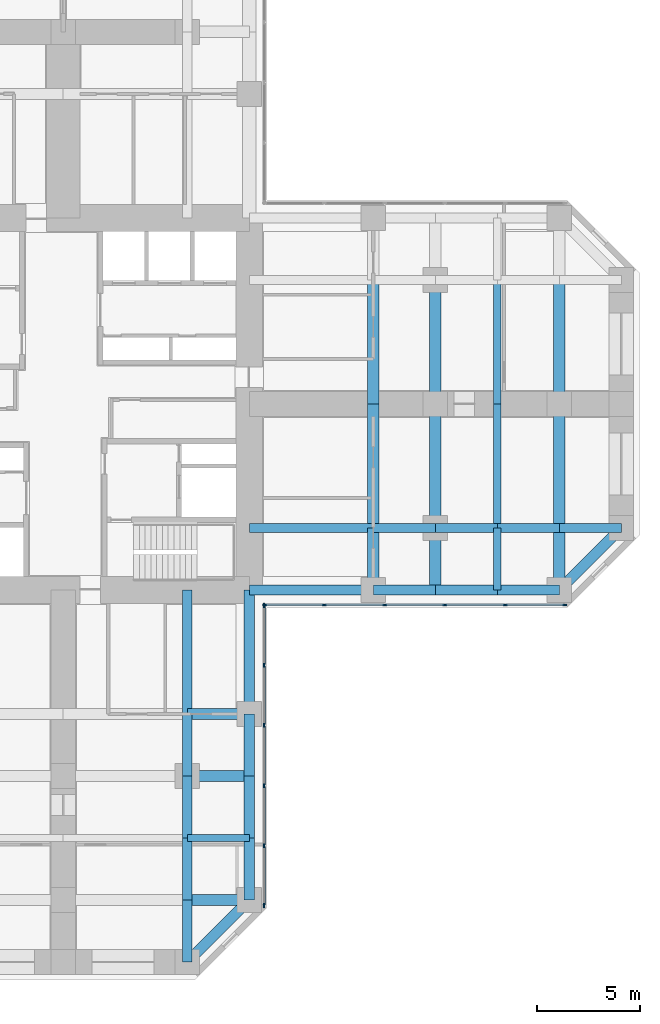
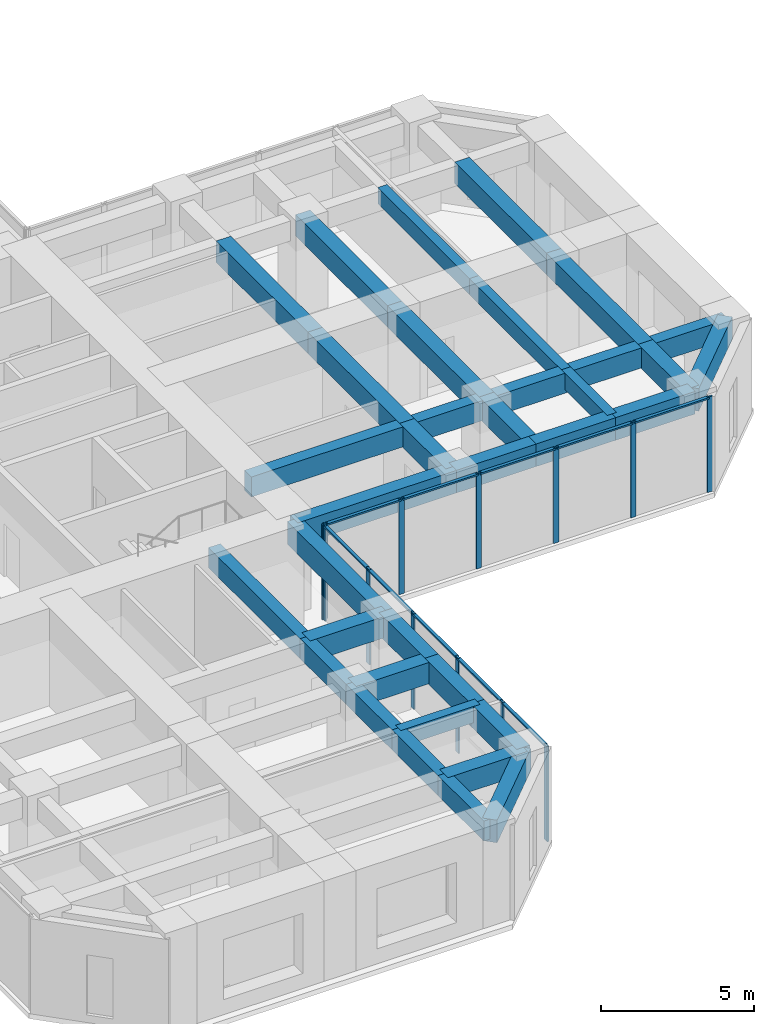
# One storey, part 4 of 12: 36 beams, 22 members, 2 elements without a shape of their own.
"""IFC4 building model written with IfcOpenShell, lengths in metres."""

from ifc_helpers import new_model, si_unit, direction, frame, origin, origin_2d, place, context, subcontext, project, spatial, rectangle, extrude, material, material_profile, profile_set, type_object, element, aggregate, save


model = new_model("IFC4")

# Units and contexts
model_context = context("Model", 3, precision=1e-05, world=origin(), true_north=direction((0.0, 1.0)))
body_context = subcontext(model_context, "Body", "Model", "MODEL_VIEW")
ifc_project = project(units=[si_unit("LENGTHUNIT", "METRE"), si_unit("AREAUNIT", "SQUARE_METRE"), si_unit("VOLUMEUNIT", "CUBIC_METRE"), si_unit("PLANEANGLEUNIT", "RADIAN"), si_unit("MASSUNIT", "GRAM", prefix="KILO")], contexts=[model_context])

# Site, building, storey
site_placement = place(None, origin())
site = spatial("IfcSite", under=ifc_project, at=site_placement, CompositionType="ELEMENT")
building_placement = place(site_placement, origin())
building = spatial("IfcBuilding", under=site, at=building_placement, Name="Torre Cruceta", CompositionType="ELEMENT")
storey_placement = place(building_placement, frame((0.0, 0.0, 79.5)))
storey = spatial("IfcBuildingStorey", under=building, at=storey_placement, Name="L19", CompositionType="ELEMENT", Elevation=79.5)

# Beams
ifc_material_1 = material(Name="Concrete G60 (fck 60 MPa)", Category="concrete")
ifc_material_profile_1 = material_profile(ifc_material_1, rectangle(XDim=0.449951171875, YDim=0.800048828125, at=origin_2d()), Name="RC 450X800")
ifc_profile_set_1 = profile_set([ifc_material_profile_1], Name="Concrete G60 (fck 60 MPa)")
beam_type_1 = type_object("IfcBeamType", Name="COLUMN LINE BEAM RC 450X800", PredefinedType="BEAM", material=ifc_profile_set_1)
beam_1_placement = place(storey_placement, frame((9.0, -6.0, 3.39990234375), z_axis=(1.0, 0.0, 0.0), x_axis=(0.0, 1.0, 0.0)))
element("IfcBeam", 1, at=beam_1_placement, inside=storey, type_object=beam_type_1, Name="LB1 L19 E col- 1", PredefinedType="BEAM", context=body_context, shape_type="SweptSolid", body=[
    extrude(rectangle(XDim=0.449951171875, YDim=0.800048828125, at=origin_2d()), origin(), (0.0, 0.0, 1.0), 6.0),
])
for number, where, z_axis, x_axis, name in (
    (2, (15.0, -6.0, 3.39990234375), (1.0, 0.0, 0.0), (0.0, 1.0, 0.0), "LB1 L19 E col- 2"),
    (3, (18.0, -6.0, 3.39990234375), (1.0, 0.0, 0.0), (0.0, 1.0, 0.0), "LB1 L19 E col- 3"),
    (4, (21.0, -6.0, 3.39990234375), (1.0, 0.0, 0.0), (0.0, 1.0, 0.0), "LB1 L19 E col- 4"),
    (5, (24.0, -6.0, 3.39990234375), (1.0, 0.0, 0.0), (0.0, 1.0, 0.0), "LB1 L19 E col- 5"),
):
    element("IfcBeam", number, at=place(storey_placement, frame(where, z_axis=z_axis, x_axis=x_axis)), inside=storey, type_object=beam_type_1, Name=name, PredefinedType="BEAM", context=body_context, shape_type="SweptSolid", body=[
        extrude(rectangle(XDim=0.449951171875, YDim=0.800048828125, at=origin_2d()), origin(), (0.0, 0.0, 1.0), 3.0),
    ])
beam_2_placement = place(storey_placement, frame((6.0, -9.0, 3.39990234375), z_axis=(0.0, -1.0, 0.0), x_axis=(1.0, 0.0, 0.0)))
element("IfcBeam", 6, at=beam_2_placement, inside=storey, type_object=beam_type_1, Name="LB1 L19 S col+ 1", PredefinedType="BEAM", context=body_context, shape_type="SweptSolid", body=[
    extrude(rectangle(XDim=0.449951171875, YDim=0.800048828125, at=origin_2d()), origin(), (0.0, 0.0, 1.0), 6.0),
])
for number, where, z_axis, x_axis, name in (
    (7, (6.0, -15.0, 3.39990234375), (0.0, -1.0, 0.0), (1.0, 0.0, 0.0), "LB1 L19 S col+ 2"),
    (8, (6.0, -18.0, 3.39990234375), (0.0, -1.0, 0.0), (1.0, 0.0, 0.0), "LB1 L19 S col+ 3"),
    (9, (6.0, -21.0, 3.39990234375), (0.0, -1.0, 0.0), (1.0, 0.0, 0.0), "LB1 L19 S col+ 4"),
    (10, (6.0, -24.0, 3.39990234375), (0.0, -1.0, 0.0), (1.0, 0.0, 0.0), "LB1 L19 S col+ 5"),
):
    element("IfcBeam", number, at=place(storey_placement, frame(where, z_axis=z_axis, x_axis=x_axis)), inside=storey, type_object=beam_type_1, Name=name, PredefinedType="BEAM", context=body_context, shape_type="SweptSolid", body=[
        extrude(rectangle(XDim=0.449951171875, YDim=0.800048828125, at=origin_2d()), origin(), (0.0, 0.0, 1.0), 3.0),
    ])
ifc_material_2 = material(Name="Concrete G60 (fck 60 MPa)", Category="concrete")
ifc_material_profile_2 = material_profile(ifc_material_2, rectangle(XDim=0.550048828125, YDim=0.85009765625, at=origin_2d()), Name="RC 550X850")
ifc_profile_set_2 = profile_set([ifc_material_profile_2], Name="Concrete G60 (fck 60 MPa)")
beam_type_2 = type_object("IfcBeamType", Name="CROSS BEAM RC 550X850", PredefinedType="BEAM", material=ifc_profile_set_2)
beam_3_placement = place(storey_placement, frame((15.0, -9.0, 3.375), z_axis=(0.0, 1.0, 0.0), x_axis=(-1.0, 0.0, 0.0)))
element("IfcBeam", 11, at=beam_3_placement, inside=storey, type_object=beam_type_2, Name="GB4 L19 E cross15 1", PredefinedType="BEAM", context=body_context, shape_type="SweptSolid", body=[
    extrude(rectangle(XDim=0.550048828125, YDim=0.85009765625, at=origin_2d()), origin(), (0.0, 0.0, 1.0), 3.0),
])
for number, where, z_axis, x_axis, name in (
    (12, (15.0, -6.0, 3.375), (0.0, 1.0, 0.0), (-1.0, 0.0, 0.0), "GB4 L19 E cross15 2"),
    (13, (15.0, 0.0, 3.375), (0.0, 1.0, 0.0), (-1.0, 0.0, 0.0), "GB4 L19 E cross15 3"),
):
    element("IfcBeam", number, at=place(storey_placement, frame(where, z_axis=z_axis, x_axis=x_axis)), inside=storey, type_object=beam_type_2, Name=name, PredefinedType="BEAM", context=body_context, shape_type="SweptSolid", body=[
        extrude(rectangle(XDim=0.550048828125, YDim=0.85009765625, at=origin_2d()), origin(), (0.0, 0.0, 1.0), 6.0),
    ])
beam_4_placement = place(storey_placement, frame((18.0, -9.0, 3.375), z_axis=(0.0, 1.0, 0.0), x_axis=(-1.0, 0.0, 0.0)))
element("IfcBeam", 14, at=beam_4_placement, inside=storey, type_object=beam_type_2, Name="GB4 L19 E cross18 1", PredefinedType="BEAM", context=body_context, shape_type="SweptSolid", body=[
    extrude(rectangle(XDim=0.550048828125, YDim=0.85009765625, at=origin_2d()), origin(), (0.0, 0.0, 1.0), 3.0),
])
for number, where, z_axis, x_axis, name in (
    (15, (18.0, -6.0, 3.375), (0.0, 1.0, 0.0), (-1.0, 0.0, 0.0), "GB4 L19 E cross18 2"),
    (16, (18.0, 0.0, 3.375), (0.0, 1.0, 0.0), (-1.0, 0.0, 0.0), "GB4 L19 E cross18 3"),
):
    element("IfcBeam", number, at=place(storey_placement, frame(where, z_axis=z_axis, x_axis=x_axis)), inside=storey, type_object=beam_type_2, Name=name, PredefinedType="BEAM", context=body_context, shape_type="SweptSolid", body=[
        extrude(rectangle(XDim=0.550048828125, YDim=0.85009765625, at=origin_2d()), origin(), (0.0, 0.0, 1.0), 6.0),
    ])
beam_5_placement = place(storey_placement, frame((24.0, -9.0, 3.375), z_axis=(0.0, 1.0, 0.0), x_axis=(-1.0, 0.0, 0.0)))
element("IfcBeam", 17, at=beam_5_placement, inside=storey, type_object=beam_type_2, Name="GB4 L19 E cross24 1", PredefinedType="BEAM", context=body_context, shape_type="SweptSolid", body=[
    extrude(rectangle(XDim=0.550048828125, YDim=0.85009765625, at=origin_2d()), origin(), (0.0, 0.0, 1.0), 3.0),
])
for number, where, z_axis, x_axis, name in (
    (18, (24.0, -6.0, 3.375), (0.0, 1.0, 0.0), (-1.0, 0.0, 0.0), "GB4 L19 E cross24 2"),
    (19, (24.0, 0.0, 3.375), (0.0, 1.0, 0.0), (-1.0, 0.0, 0.0), "GB4 L19 E cross24 3"),
):
    element("IfcBeam", number, at=place(storey_placement, frame(where, z_axis=z_axis, x_axis=x_axis)), inside=storey, type_object=beam_type_2, Name=name, PredefinedType="BEAM", context=body_context, shape_type="SweptSolid", body=[
        extrude(rectangle(XDim=0.550048828125, YDim=0.85009765625, at=origin_2d()), origin(), (0.0, 0.0, 1.0), 6.0),
    ])
for number, where, z_axis, x_axis, name in (
    (20, (6.0, -15.0, 3.375), (1.0, 0.0, 0.0), (0.0, 1.0, 0.0), "GB4 L19 S cross15 4"),
    (21, (6.0, -18.0, 3.375), (1.0, 0.0, 0.0), (0.0, 1.0, 0.0), "GB4 L19 S cross18 4"),
    (22, (6.0, -24.0, 3.375), (1.0, 0.0, 0.0), (0.0, 1.0, 0.0), "GB4 L19 S cross24 4"),
):
    element("IfcBeam", number, at=place(storey_placement, frame(where, z_axis=z_axis, x_axis=x_axis)), inside=storey, type_object=beam_type_2, Name=name, PredefinedType="BEAM", context=body_context, shape_type="SweptSolid", body=[
        extrude(rectangle(XDim=0.550048828125, YDim=0.85009765625, at=origin_2d()), origin(), (0.0, 0.0, 1.0), 3.0),
    ])

# Curtain wall, members
ifc_material_3 = material(Name="Aluminium unitised curtain wall", Category="aluminium")
curtain_wall_type = type_object("IfcCurtainWallType", Name="CURTAIN WALL CW-A OFFICE LOW RISE", PredefinedType="USERDEFINED", material=ifc_material_3)
curtain_wall_1_placement = place(storey_placement, origin())
curtain_wall_1 = element("IfcCurtainWall", 23, at=curtain_wall_1_placement, inside=storey, type_object=curtain_wall_type, Name="CW-A L19 E side 00", ObjectType="UNITISED", PredefinedType="USERDEFINED")
ifc_material_4 = material(Name="Aluminium mullion", Category="aluminium")
ifc_material_profile_3 = material_profile(ifc_material_4, rectangle(XDim=0.06494140625, YDim=0.199951171875, at=origin_2d()), Name="AL 65X200")
ifc_profile_set_3 = profile_set([ifc_material_profile_3], Name="Aluminium mullion")
member_type_1 = type_object("IfcMemberType", Name="CW-A MULLION 65X200", PredefinedType="MULLION", material=ifc_profile_set_3)
member_1_placement = place(storey_placement, frame((9.75244140625, -9.719970703125, 0.0), z_axis=(0.0, 0.0, 1.0), x_axis=(0.0, 1.0, 0.0)))
member_1 = element("IfcMember", 24, at=member_1_placement, type_object=member_type_1, Name="CW-A mullion 1", PredefinedType="MULLION", context=body_context, shape_type="SweptSolid", body=[
    extrude(rectangle(XDim=0.06494140625, YDim=0.199951171875, at=origin_2d()), origin(), (0.0, 0.0, 1.0), 3.800048828125),
])
member_2_placement = place(storey_placement, frame((12.6357421875, -9.719970703125, 0.0), z_axis=(0.0, 0.0, 1.0), x_axis=(0.0, 1.0, 0.0)))
member_2 = element("IfcMember", 25, at=member_2_placement, type_object=member_type_1, Name="CW-A mullion 2", PredefinedType="MULLION", context=body_context, shape_type="SweptSolid", body=[
    extrude(rectangle(XDim=0.06494140625, YDim=0.199951171875, at=origin_2d()), origin(), (0.0, 0.0, 1.0), 3.800048828125),
])
member_3_placement = place(storey_placement, frame((15.55126953125, -9.719970703125, 0.0), z_axis=(0.0, 0.0, 1.0), x_axis=(0.0, 1.0, 0.0)))
member_3 = element("IfcMember", 26, at=member_3_placement, type_object=member_type_1, Name="CW-A mullion 3", PredefinedType="MULLION", context=body_context, shape_type="SweptSolid", body=[
    extrude(rectangle(XDim=0.06494140625, YDim=0.199951171875, at=origin_2d()), origin(), (0.0, 0.0, 1.0), 3.800048828125),
])
member_4_placement = place(storey_placement, frame((18.467041015625, -9.719970703125, 0.0), z_axis=(0.0, 0.0, 1.0), x_axis=(0.0, 1.0, 0.0)))
member_4 = element("IfcMember", 27, at=member_4_placement, type_object=member_type_1, Name="CW-A mullion 4", PredefinedType="MULLION", context=body_context, shape_type="SweptSolid", body=[
    extrude(rectangle(XDim=0.06494140625, YDim=0.199951171875, at=origin_2d()), origin(), (0.0, 0.0, 1.0), 3.800048828125),
])
member_5_placement = place(storey_placement, frame((21.382568359375, -9.719970703125, 0.0), z_axis=(0.0, 0.0, 1.0), x_axis=(0.0, 1.0, 0.0)))
member_5 = element("IfcMember", 28, at=member_5_placement, type_object=member_type_1, Name="CW-A mullion 5", PredefinedType="MULLION", context=body_context, shape_type="SweptSolid", body=[
    extrude(rectangle(XDim=0.06494140625, YDim=0.199951171875, at=origin_2d()), origin(), (0.0, 0.0, 1.0), 3.800048828125),
])
member_6_placement = place(storey_placement, frame((24.265625, -9.719970703125, 0.0), z_axis=(0.0, 0.0, 1.0), x_axis=(0.0, 1.0, 0.0)))
member_6 = element("IfcMember", 29, at=member_6_placement, type_object=member_type_1, Name="CW-A mullion 6", PredefinedType="MULLION", context=body_context, shape_type="SweptSolid", body=[
    extrude(rectangle(XDim=0.06494140625, YDim=0.199951171875, at=origin_2d()), origin(), (0.0, 0.0, 1.0), 3.800048828125),
])

curtain_wall_2_placement = place(storey_placement, origin())
curtain_wall_2 = element("IfcCurtainWall", 30, at=curtain_wall_2_placement, inside=storey, type_object=curtain_wall_type, Name="CW-A L19 S side 19", ObjectType="UNITISED", PredefinedType="USERDEFINED")
member_7_placement = place(storey_placement, frame((9.719970703125, -24.265625, 0.0), z_axis=(0.0, 0.0, 1.0), x_axis=(-1.0, 0.0, 0.0)))
member_7 = element("IfcMember", 31, at=member_7_placement, type_object=member_type_1, Name="CW-A mullion 1", PredefinedType="MULLION", context=body_context, shape_type="SweptSolid", body=[
    extrude(rectangle(XDim=0.06494140625, YDim=0.199951171875, at=origin_2d()), origin(), (0.0, 0.0, 1.0), 3.800048828125),
])
member_8_placement = place(storey_placement, frame((9.719970703125, -21.382568359375, 0.0), z_axis=(0.0, 0.0, 1.0), x_axis=(-1.0, 0.0, 0.0)))
member_8 = element("IfcMember", 32, at=member_8_placement, type_object=member_type_1, Name="CW-A mullion 2", PredefinedType="MULLION", context=body_context, shape_type="SweptSolid", body=[
    extrude(rectangle(XDim=0.06494140625, YDim=0.199951171875, at=origin_2d()), origin(), (0.0, 0.0, 1.0), 3.800048828125),
])
member_9_placement = place(storey_placement, frame((9.719970703125, -18.467041015625, 0.0), z_axis=(0.0, 0.0, 1.0), x_axis=(-1.0, 0.0, 0.0)))
member_9 = element("IfcMember", 33, at=member_9_placement, type_object=member_type_1, Name="CW-A mullion 3", PredefinedType="MULLION", context=body_context, shape_type="SweptSolid", body=[
    extrude(rectangle(XDim=0.06494140625, YDim=0.199951171875, at=origin_2d()), origin(), (0.0, 0.0, 1.0), 3.800048828125),
])
member_10_placement = place(storey_placement, frame((9.719970703125, -15.55126953125, 0.0), z_axis=(0.0, 0.0, 1.0), x_axis=(-1.0, 0.0, 0.0)))
member_10 = element("IfcMember", 34, at=member_10_placement, type_object=member_type_1, Name="CW-A mullion 4", PredefinedType="MULLION", context=body_context, shape_type="SweptSolid", body=[
    extrude(rectangle(XDim=0.06494140625, YDim=0.199951171875, at=origin_2d()), origin(), (0.0, 0.0, 1.0), 3.800048828125),
])
member_11_placement = place(storey_placement, frame((9.719970703125, -12.6357421875, 0.0), z_axis=(0.0, 0.0, 1.0), x_axis=(-1.0, 0.0, 0.0)))
member_11 = element("IfcMember", 35, at=member_11_placement, type_object=member_type_1, Name="CW-A mullion 5", PredefinedType="MULLION", context=body_context, shape_type="SweptSolid", body=[
    extrude(rectangle(XDim=0.06494140625, YDim=0.199951171875, at=origin_2d()), origin(), (0.0, 0.0, 1.0), 3.800048828125),
])
member_12_placement = place(storey_placement, frame((9.719970703125, -9.75244140625, 0.0), z_axis=(0.0, 0.0, 1.0), x_axis=(-1.0, 0.0, 0.0)))
member_12 = element("IfcMember", 36, at=member_12_placement, type_object=member_type_1, Name="CW-A mullion 6", PredefinedType="MULLION", context=body_context, shape_type="SweptSolid", body=[
    extrude(rectangle(XDim=0.06494140625, YDim=0.199951171875, at=origin_2d()), origin(), (0.0, 0.0, 1.0), 3.800048828125),
])

# Member
ifc_material_5 = material(Name="Aluminium transom", Category="aluminium")
ifc_material_profile_4 = material_profile(ifc_material_5, rectangle(XDim=0.1201171875, YDim=0.06494140625, at=origin_2d()), Name="AL 120X65")
ifc_profile_set_4 = profile_set([ifc_material_profile_4], Name="Aluminium transom")
member_type_2 = type_object("IfcMemberType", Name="CW-A TRANSOM 65X120", PredefinedType="USERDEFINED", material=ifc_profile_set_4)
member_13_placement = place(storey_placement, frame((9.784912109375, -9.719970703125, 3.767578125), z_axis=(1.0, 0.0, 0.0), x_axis=(0.0, 1.0, 0.0)))
member_13 = element("IfcMember", 37, at=member_13_placement, type_object=member_type_2, Name="CW-A transom 1", ObjectType="TRANSOM", PredefinedType="USERDEFINED", context=body_context, shape_type="SweptSolid", body=[
    extrude(rectangle(XDim=0.1201171875, YDim=0.06494140625, at=origin_2d()), origin(), (0.0, 0.0, 1.0), 2.818115234375),
])

member_14_placement = place(storey_placement, frame((12.668212890625, -9.719970703125, 3.767578125), z_axis=(1.0, 0.0, 0.0), x_axis=(0.0, 1.0, 0.0)))
member_14 = element("IfcMember", 38, at=member_14_placement, type_object=member_type_2, Name="CW-A transom 2", ObjectType="TRANSOM", PredefinedType="USERDEFINED", context=body_context, shape_type="SweptSolid", body=[
    extrude(rectangle(XDim=0.1201171875, YDim=0.06494140625, at=origin_2d()), origin(), (0.0, 0.0, 1.0), 2.8505859375),
])

member_15_placement = place(storey_placement, frame((15.583740234375, -9.719970703125, 3.767578125), z_axis=(1.0, 0.0, 0.0), x_axis=(0.0, 1.0, 0.0)))
member_15 = element("IfcMember", 39, at=member_15_placement, type_object=member_type_2, Name="CW-A transom 3", ObjectType="TRANSOM", PredefinedType="USERDEFINED", context=body_context, shape_type="SweptSolid", body=[
    extrude(rectangle(XDim=0.1201171875, YDim=0.06494140625, at=origin_2d()), origin(), (0.0, 0.0, 1.0), 2.8505859375),
])

member_16_placement = place(storey_placement, frame((18.49951171875, -9.719970703125, 3.767578125), z_axis=(1.0, 0.0, 0.0), x_axis=(0.0, 1.0, 0.0)))
member_16 = element("IfcMember", 40, at=member_16_placement, type_object=member_type_2, Name="CW-A transom 4", ObjectType="TRANSOM", PredefinedType="USERDEFINED", context=body_context, shape_type="SweptSolid", body=[
    extrude(rectangle(XDim=0.1201171875, YDim=0.06494140625, at=origin_2d()), origin(), (0.0, 0.0, 1.0), 2.8505859375),
])

member_17_placement = place(storey_placement, frame((21.4150390625, -9.719970703125, 3.767578125), z_axis=(1.0, 0.0, 0.0), x_axis=(0.0, 1.0, 0.0)))
member_17 = element("IfcMember", 41, at=member_17_placement, type_object=member_type_2, Name="CW-A transom 5", ObjectType="TRANSOM", PredefinedType="USERDEFINED", context=body_context, shape_type="SweptSolid", body=[
    extrude(rectangle(XDim=0.1201171875, YDim=0.06494140625, at=origin_2d()), origin(), (0.0, 0.0, 1.0), 2.818115234375),
])

aggregate(curtain_wall_1, [member_1, member_2, member_3, member_4, member_5, member_6, member_13, member_14, member_15, member_16, member_17])

member_18_placement = place(storey_placement, frame((9.719970703125, -24.233154296875, 3.767578125), z_axis=(0.0, 1.0, 0.0), x_axis=(-1.0, 0.0, 0.0)))
member_18 = element("IfcMember", 42, at=member_18_placement, type_object=member_type_2, Name="CW-A transom 1", ObjectType="TRANSOM", PredefinedType="USERDEFINED", context=body_context, shape_type="SweptSolid", body=[
    extrude(rectangle(XDim=0.1201171875, YDim=0.06494140625, at=origin_2d()), origin(), (0.0, 0.0, 1.0), 2.818115234375),
])

member_19_placement = place(storey_placement, frame((9.719970703125, -21.35009765625, 3.767578125), z_axis=(0.0, 1.0, 0.0), x_axis=(-1.0, 0.0, 0.0)))
member_19 = element("IfcMember", 43, at=member_19_placement, type_object=member_type_2, Name="CW-A transom 2", ObjectType="TRANSOM", PredefinedType="USERDEFINED", context=body_context, shape_type="SweptSolid", body=[
    extrude(rectangle(XDim=0.1201171875, YDim=0.06494140625, at=origin_2d()), origin(), (0.0, 0.0, 1.0), 2.8505859375),
])

member_20_placement = place(storey_placement, frame((9.719970703125, -18.434326171875, 3.767578125), z_axis=(0.0, 1.0, 0.0), x_axis=(-1.0, 0.0, 0.0)))
member_20 = element("IfcMember", 44, at=member_20_placement, type_object=member_type_2, Name="CW-A transom 3", ObjectType="TRANSOM", PredefinedType="USERDEFINED", context=body_context, shape_type="SweptSolid", body=[
    extrude(rectangle(XDim=0.1201171875, YDim=0.06494140625, at=origin_2d()), origin(), (0.0, 0.0, 1.0), 2.8505859375),
])

member_21_placement = place(storey_placement, frame((9.719970703125, -15.518798828125, 3.767578125), z_axis=(0.0, 1.0, 0.0), x_axis=(-1.0, 0.0, 0.0)))
member_21 = element("IfcMember", 45, at=member_21_placement, type_object=member_type_2, Name="CW-A transom 4", ObjectType="TRANSOM", PredefinedType="USERDEFINED", context=body_context, shape_type="SweptSolid", body=[
    extrude(rectangle(XDim=0.1201171875, YDim=0.06494140625, at=origin_2d()), origin(), (0.0, 0.0, 1.0), 2.8505859375),
])

member_22_placement = place(storey_placement, frame((9.719970703125, -12.60302734375, 3.767578125), z_axis=(0.0, 1.0, 0.0), x_axis=(-1.0, 0.0, 0.0)))
member_22 = element("IfcMember", 46, at=member_22_placement, type_object=member_type_2, Name="CW-A transom 5", ObjectType="TRANSOM", PredefinedType="USERDEFINED", context=body_context, shape_type="SweptSolid", body=[
    extrude(rectangle(XDim=0.1201171875, YDim=0.06494140625, at=origin_2d()), origin(), (0.0, 0.0, 1.0), 2.818115234375),
])

aggregate(curtain_wall_2, [member_7, member_8, member_9, member_10, member_11, member_12, member_18, member_19, member_20, member_21, member_22])

# Beams
ifc_material_6 = material(Name="Concrete G60 (fck 60 MPa)", Category="concrete")
ifc_material_profile_5 = material_profile(ifc_material_6, rectangle(XDim=0.35009765625, YDim=0.64990234375, at=origin_2d()), Name="RC 350X650")
ifc_profile_set_5 = profile_set([ifc_material_profile_5], Name="Concrete G60 (fck 60 MPa)")
beam_type_3 = type_object("IfcBeamType", Name="SECONDARY BEAM RC 350X650", PredefinedType="JOIST", material=ifc_profile_set_5)
beam_6_placement = place(storey_placement, frame((21.0, -9.0, 3.47509765625), z_axis=(0.0, 1.0, 0.0), x_axis=(-1.0, 0.0, 0.0)))
element("IfcBeam", 47, at=beam_6_placement, inside=storey, type_object=beam_type_3, Name="JB3 L19 E sec21 1", PredefinedType="JOIST", context=body_context, shape_type="SweptSolid", body=[
    extrude(rectangle(XDim=0.35009765625, YDim=0.64990234375, at=origin_2d()), origin(), (0.0, 0.0, 1.0), 3.0),
])
for number, where, z_axis, x_axis, name in (
    (48, (21.0, -6.0, 3.47509765625), (0.0, 1.0, 0.0), (-1.0, 0.0, 0.0), "JB3 L19 E sec21 2"),
    (49, (21.0, 0.0, 3.47509765625), (0.0, 1.0, 0.0), (-1.0, 0.0, 0.0), "JB3 L19 E sec21 3"),
):
    element("IfcBeam", number, at=place(storey_placement, frame(where, z_axis=z_axis, x_axis=x_axis)), inside=storey, type_object=beam_type_3, Name=name, PredefinedType="JOIST", context=body_context, shape_type="SweptSolid", body=[
        extrude(rectangle(XDim=0.35009765625, YDim=0.64990234375, at=origin_2d()), origin(), (0.0, 0.0, 1.0), 6.0),
    ])
beam_7_placement = place(storey_placement, frame((6.0, -21.0, 3.47509765625), z_axis=(1.0, 0.0, 0.0), x_axis=(0.0, 1.0, 0.0)))
element("IfcBeam", 50, at=beam_7_placement, inside=storey, type_object=beam_type_3, Name="JB3 L19 S sec21 4", PredefinedType="JOIST", context=body_context, shape_type="SweptSolid", body=[
    extrude(rectangle(XDim=0.35009765625, YDim=0.64990234375, at=origin_2d()), origin(), (0.0, 0.0, 1.0), 3.0),
])
ifc_material_7 = material(Name="Concrete G60 (fck 60 MPa)", Category="concrete")
ifc_material_profile_6 = material_profile(ifc_material_7, rectangle(XDim=0.5, YDim=0.89990234375, at=origin_2d()), Name="RC 500X900")
ifc_profile_set_6 = profile_set([ifc_material_profile_6], Name="Concrete G60 (fck 60 MPa)")
beam_type_4 = type_object("IfcBeamType", Name="SPANDREL BEAM RC 500X900", PredefinedType="SPANDREL", material=ifc_profile_set_6)
beam_8_placement = place(storey_placement, frame((9.0, -9.0, 3.35009765625), z_axis=(1.0, 0.0, 0.0), x_axis=(0.0, 1.0, 0.0)))
element("IfcBeam", 51, at=beam_8_placement, inside=storey, type_object=beam_type_4, Name="SB4 L19 E side- 1", PredefinedType="SPANDREL", context=body_context, shape_type="SweptSolid", body=[
    extrude(rectangle(XDim=0.5, YDim=0.89990234375, at=origin_2d()), origin(), (0.0, 0.0, 1.0), 6.0),
])
for number, where, z_axis, x_axis, name in (
    (52, (15.0, -9.0, 3.35009765625), (1.0, 0.0, 0.0), (0.0, 1.0, 0.0), "SB4 L19 E side- 2"),
    (53, (18.0, -9.0, 3.35009765625), (1.0, 0.0, 0.0), (0.0, 1.0, 0.0), "SB4 L19 E side- 3"),
    (54, (21.0, -9.0, 3.35009765625), (1.0, 0.0, 0.0), (0.0, 1.0, 0.0), "SB4 L19 E side- 4"),
):
    element("IfcBeam", number, at=place(storey_placement, frame(where, z_axis=z_axis, x_axis=x_axis)), inside=storey, type_object=beam_type_4, Name=name, PredefinedType="SPANDREL", context=body_context, shape_type="SweptSolid", body=[
        extrude(rectangle(XDim=0.5, YDim=0.89990234375, at=origin_2d()), origin(), (0.0, 0.0, 1.0), 3.0),
    ])
beam_9_placement = place(storey_placement, frame((24.0, -9.0, 3.35009765625), z_axis=(0.707106781187, 0.707106781187, 0.0), x_axis=(-0.707106781187, 0.707106781187, 0.0)))
element("IfcBeam", 55, at=beam_9_placement, inside=storey, type_object=beam_type_4, Name="SB4 L19 E side- 5", PredefinedType="SPANDREL", context=body_context, shape_type="SweptSolid", body=[
    extrude(rectangle(XDim=0.5, YDim=0.89990234375, at=origin_2d()), origin(), (0.0, 0.0, 1.0), 4.24267578125),
])
beam_10_placement = place(storey_placement, frame((9.0, -9.0, 3.35009765625), z_axis=(0.0, -1.0, 0.0), x_axis=(1.0, 0.0, 0.0)))
element("IfcBeam", 56, at=beam_10_placement, inside=storey, type_object=beam_type_4, Name="SB4 L19 S side+ 1", PredefinedType="SPANDREL", context=body_context, shape_type="SweptSolid", body=[
    extrude(rectangle(XDim=0.5, YDim=0.89990234375, at=origin_2d()), origin(), (0.0, 0.0, 1.0), 6.0),
])
for number, where, z_axis, x_axis, name in (
    (57, (9.0, -15.0, 3.35009765625), (0.0, -1.0, 0.0), (1.0, 0.0, 0.0), "SB4 L19 S side+ 2"),
    (58, (9.0, -18.0, 3.35009765625), (0.0, -1.0, 0.0), (1.0, 0.0, 0.0), "SB4 L19 S side+ 3"),
    (59, (9.0, -21.0, 3.35009765625), (0.0, -1.0, 0.0), (1.0, 0.0, 0.0), "SB4 L19 S side+ 4"),
):
    element("IfcBeam", number, at=place(storey_placement, frame(where, z_axis=z_axis, x_axis=x_axis)), inside=storey, type_object=beam_type_4, Name=name, PredefinedType="SPANDREL", context=body_context, shape_type="SweptSolid", body=[
        extrude(rectangle(XDim=0.5, YDim=0.89990234375, at=origin_2d()), origin(), (0.0, 0.0, 1.0), 3.0),
    ])
beam_11_placement = place(storey_placement, frame((9.0, -24.0, 3.35009765625), z_axis=(-0.707106781187, -0.707106781187, 0.0), x_axis=(0.707106781187, -0.707106781187, 0.0)))
element("IfcBeam", 60, at=beam_11_placement, inside=storey, type_object=beam_type_4, Name="SB4 L19 S side+ 5", PredefinedType="SPANDREL", context=body_context, shape_type="SweptSolid", body=[
    extrude(rectangle(XDim=0.5, YDim=0.89990234375, at=origin_2d()), origin(), (0.0, 0.0, 1.0), 4.24267578125),
])

save(model, "model.ifc")
